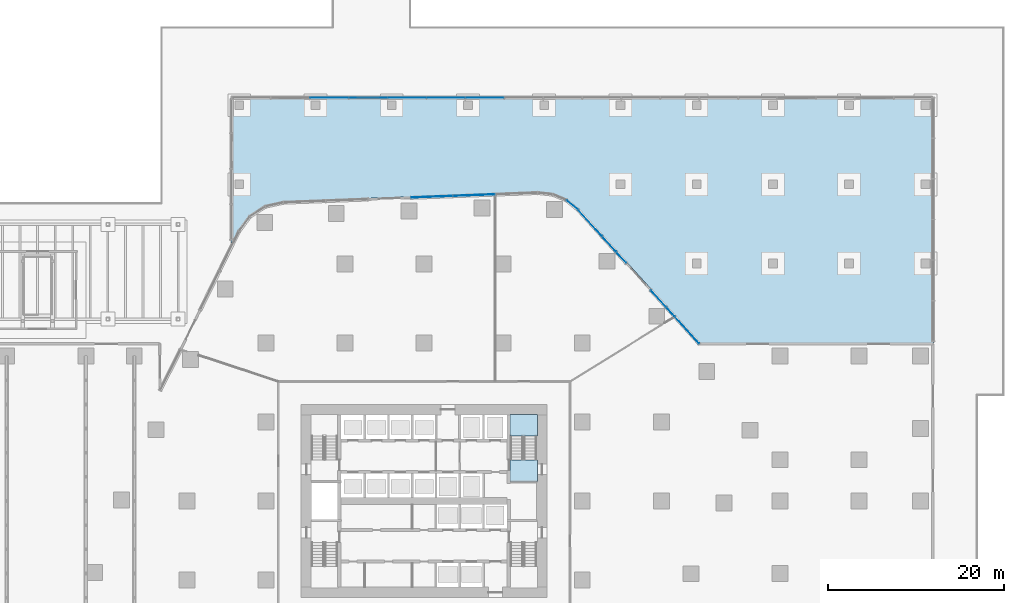
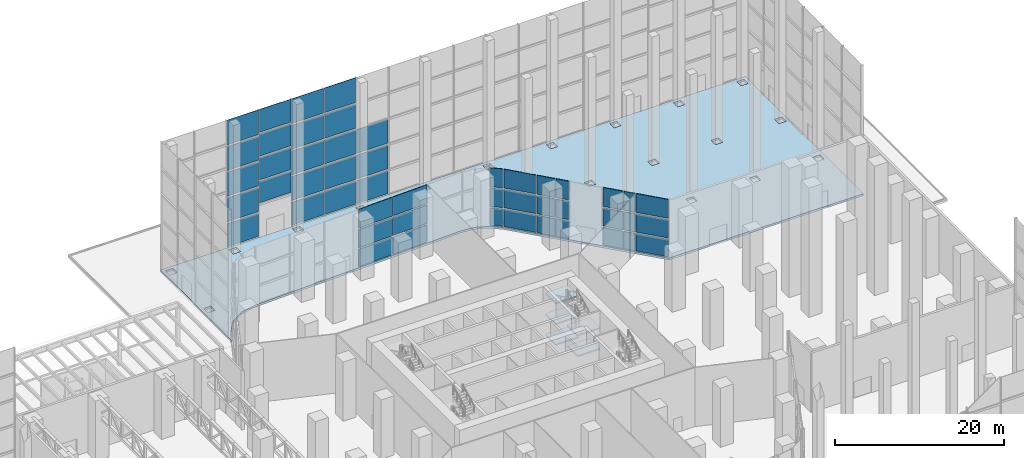
# One storey, part 25 of 40: 49 plates, 6 slabs, 10 elements without a shape of their own.
"""IFC4 building model written with IfcOpenShell, lengths in metres."""

from ifc_helpers import new_model, si_unit, direction, frame, origin, origin_2d, place, context, subcontext, project, spatial, polyline, rectangle, outline, extrude, material, layer, layer_set, type_object, element, aggregate, save


model = new_model("IFC4")

# Units and contexts
model_context = context("Model", 3, precision=1e-05, world=origin(), true_north=direction((0.0, 1.0)))
body_context = subcontext(model_context, "Body", "Model", "MODEL_VIEW")
ifc_project = project(units=[si_unit("LENGTHUNIT", "METRE"), si_unit("AREAUNIT", "SQUARE_METRE"), si_unit("VOLUMEUNIT", "CUBIC_METRE"), si_unit("PLANEANGLEUNIT", "RADIAN"), si_unit("MASSUNIT", "GRAM", prefix="KILO")], contexts=[model_context])

# Site, building, storey
site_placement = place(None, origin())
site = spatial("IfcSite", under=ifc_project, at=site_placement, CompositionType="ELEMENT")
building_placement = place(site_placement, origin())
building = spatial("IfcBuilding", under=site, at=building_placement, Name="Dongbaek Canopy Tower", CompositionType="ELEMENT")
storey_placement = place(building_placement, origin())
storey = spatial("IfcBuildingStorey", under=building, at=storey_placement, Name="L00", CompositionType="ELEMENT", Elevation=0.0)

# Curtain wall, plates
ifc_material_1 = material(Name="Aluminium 6063-T6 pale anodised", Category="aluminium")
ifc_layer_1 = layer(ifc_material_1, 0.39990234375)
ifc_layer_set_1 = layer_set([ifc_layer_1], Name="CW-3 lobby double-height curtain wall")
curtain_wall_type = type_object("IfcCurtainWallType", Name="CW-3 lobby double-height curtain wall", PredefinedType="NOTDEFINED", material=ifc_layer_set_1)
curtain_wall_1_placement = place(storey_placement, origin())
curtain_wall_1 = element("IfcCurtainWall", 1, at=curtain_wall_1_placement, inside=storey, type_object=curtain_wall_type, Name="CW-3 curtain wall F5.1a", PredefinedType="NOTDEFINED")
ifc_material_2 = material(Name="Clear laminated glass", Category="glass")
ifc_layer_2 = layer(ifc_material_2, 0.0439453125)
ifc_layer_set_2 = layer_set([ifc_layer_2], Name="CW-3 glazed panel 44")
plate_type = type_object("IfcPlateType", Name="CW-3 glazed panel 44", PredefinedType="CURTAIN_PANEL", material=ifc_layer_set_2)
plate_1_placement = place(storey_placement, frame((29.94482421875, 19.43896484375, 0.25), z_axis=(0.0, 0.0, 1.0), x_axis=(-0.671259707711, 0.741222237121, 0.0)))
plate_1 = element("IfcPlate", 2, at=plate_1_placement, type_object=plate_type, Name="CW-3 panel F5.1a.1.1", PredefinedType="CURTAIN_PANEL", context=body_context, shape_type="SweptSolid", body=[
    extrude(rectangle(XDim=4.0283203125, YDim=0.0439453125, at=origin_2d()), origin(), (0.0, 0.0, 1.0), 2.47509765625),
])
plate_2_placement = place(storey_placement, frame((29.94482421875, 19.43896484375, 2.974853515625), z_axis=(0.0, 0.0, 1.0), x_axis=(-0.671259707711, 0.741222237121, 0.0)))
plate_2 = element("IfcPlate", 3, at=plate_2_placement, type_object=plate_type, Name="CW-3 panel F5.1a.1.2", PredefinedType="CURTAIN_PANEL", context=body_context, shape_type="SweptSolid", body=[
    extrude(rectangle(XDim=4.0283203125, YDim=0.0439453125, at=origin_2d()), origin(), (0.0, 0.0, 1.0), 2.60009765625),
])
plate_3_placement = place(storey_placement, frame((29.94482421875, 19.43896484375, 5.824951171875), z_axis=(0.0, 0.0, 1.0), x_axis=(-0.671259707711, 0.741222237121, 0.0)))
plate_3 = element("IfcPlate", 4, at=plate_3_placement, type_object=plate_type, Name="CW-3 panel F5.1a.1.3", PredefinedType="CURTAIN_PANEL", context=body_context, shape_type="SweptSolid", body=[
    extrude(rectangle(XDim=4.0283203125, YDim=0.0439453125, at=origin_2d()), origin(), (0.0, 0.0, 1.0), 2.72509765625),
])
plate_4_placement = place(storey_placement, frame((28.0517578125, 21.529052734375, 0.25), z_axis=(0.0, 0.0, 1.0), x_axis=(-0.671259707711, 0.741222237121, 0.0)))
plate_4 = element("IfcPlate", 5, at=plate_4_placement, type_object=plate_type, Name="CW-3 panel F5.1a.2.1", PredefinedType="CURTAIN_PANEL", context=body_context, shape_type="SweptSolid", body=[
    extrude(rectangle(XDim=1.364013671875, YDim=0.0439453125, at=origin_2d()), origin(), (0.0, 0.0, 1.0), 2.47509765625),
])
plate_5_placement = place(storey_placement, frame((28.0517578125, 21.529052734375, 2.974853515625), z_axis=(0.0, 0.0, 1.0), x_axis=(-0.671259707711, 0.741222237121, 0.0)))
plate_5 = element("IfcPlate", 6, at=plate_5_placement, type_object=plate_type, Name="CW-3 panel F5.1a.2.2", PredefinedType="CURTAIN_PANEL", context=body_context, shape_type="SweptSolid", body=[
    extrude(rectangle(XDim=1.364013671875, YDim=0.0439453125, at=origin_2d()), origin(), (0.0, 0.0, 1.0), 2.60009765625),
])
plate_6_placement = place(storey_placement, frame((28.0517578125, 21.529052734375, 5.824951171875), z_axis=(0.0, 0.0, 1.0), x_axis=(-0.671259707711, 0.741222237121, 0.0)))
plate_6 = element("IfcPlate", 7, at=plate_6_placement, type_object=plate_type, Name="CW-3 panel F5.1a.2.3", PredefinedType="CURTAIN_PANEL", context=body_context, shape_type="SweptSolid", body=[
    extrude(rectangle(XDim=1.364013671875, YDim=0.0439453125, at=origin_2d()), origin(), (0.0, 0.0, 1.0), 2.72509765625),
])
aggregate(curtain_wall_1, [plate_1, plate_2, plate_3, plate_4, plate_5, plate_6])

curtain_wall_2_placement = place(storey_placement, origin())
curtain_wall_2 = element("IfcCurtainWall", 8, at=curtain_wall_2_placement, inside=storey, type_object=curtain_wall_type, Name="CW-3 curtain wall F5.1b", PredefinedType="NOTDEFINED")
plate_7_placement = place(storey_placement, frame((26.671875, 23.052978515625, 0.25), z_axis=(0.0, 0.0, 1.0), x_axis=(-0.671259707711, 0.741222237121, 0.0)))
plate_7 = element("IfcPlate", 9, at=plate_7_placement, type_object=plate_type, Name="CW-3 panel F5.1b.1.1", PredefinedType="CURTAIN_PANEL", context=body_context, shape_type="SweptSolid", body=[
    extrude(rectangle(XDim=2.4921875, YDim=0.0439453125, at=origin_2d()), origin(), (0.0, 0.0, 1.0), 2.47509765625),
])
plate_8_placement = place(storey_placement, frame((26.671875, 23.052978515625, 2.974853515625), z_axis=(0.0, 0.0, 1.0), x_axis=(-0.671259707711, 0.741222237121, 0.0)))
plate_8 = element("IfcPlate", 10, at=plate_8_placement, type_object=plate_type, Name="CW-3 panel F5.1b.1.2", PredefinedType="CURTAIN_PANEL", context=body_context, shape_type="SweptSolid", body=[
    extrude(rectangle(XDim=2.4921875, YDim=0.0439453125, at=origin_2d()), origin(), (0.0, 0.0, 1.0), 2.60009765625),
])
plate_9_placement = place(storey_placement, frame((26.671875, 23.052978515625, 5.824951171875), z_axis=(0.0, 0.0, 1.0), x_axis=(-0.671259707711, 0.741222237121, 0.0)))
plate_9 = element("IfcPlate", 11, at=plate_9_placement, type_object=plate_type, Name="CW-3 panel F5.1b.1.3", PredefinedType="CURTAIN_PANEL", context=body_context, shape_type="SweptSolid", body=[
    extrude(rectangle(XDim=2.4921875, YDim=0.0439453125, at=origin_2d()), origin(), (0.0, 0.0, 1.0), 2.72509765625),
])
aggregate(curtain_wall_2, [plate_7, plate_8, plate_9])

curtain_wall_3_placement = place(storey_placement, origin())
curtain_wall_3 = element("IfcCurtainWall", 12, at=curtain_wall_3_placement, inside=storey, type_object=curtain_wall_type, Name="CW-3 curtain wall F5.2a", PredefinedType="NOTDEFINED")
plate_10_placement = place(storey_placement, frame((22.455810546875, 27.70849609375, 0.25), z_axis=(0.0, 0.0, 1.0), x_axis=(-0.671259707711, 0.741222237121, 0.0)))
plate_10 = element("IfcPlate", 13, at=plate_10_placement, type_object=plate_type, Name="CW-3 panel F5.2a.1.1", PredefinedType="CURTAIN_PANEL", context=body_context, shape_type="SweptSolid", body=[
    extrude(rectangle(XDim=1.60546875, YDim=0.0439453125, at=origin_2d()), origin(), (0.0, 0.0, 1.0), 2.47509765625),
])
plate_11_placement = place(storey_placement, frame((22.455810546875, 27.70849609375, 2.974853515625), z_axis=(0.0, 0.0, 1.0), x_axis=(-0.671259707711, 0.741222237121, 0.0)))
plate_11 = element("IfcPlate", 14, at=plate_11_placement, type_object=plate_type, Name="CW-3 panel F5.2a.1.2", PredefinedType="CURTAIN_PANEL", context=body_context, shape_type="SweptSolid", body=[
    extrude(rectangle(XDim=1.60546875, YDim=0.0439453125, at=origin_2d()), origin(), (0.0, 0.0, 1.0), 2.60009765625),
])
plate_12_placement = place(storey_placement, frame((22.455810546875, 27.70849609375, 5.824951171875), z_axis=(0.0, 0.0, 1.0), x_axis=(-0.671259707711, 0.741222237121, 0.0)))
plate_12 = element("IfcPlate", 15, at=plate_12_placement, type_object=plate_type, Name="CW-3 panel F5.2a.1.3", PredefinedType="CURTAIN_PANEL", context=body_context, shape_type="SweptSolid", body=[
    extrude(rectangle(XDim=1.60546875, YDim=0.0439453125, at=origin_2d()), origin(), (0.0, 0.0, 1.0), 2.72509765625),
])
aggregate(curtain_wall_3, [plate_10, plate_11, plate_12])

curtain_wall_4_placement = place(storey_placement, origin())
curtain_wall_4 = element("IfcCurtainWall", 16, at=curtain_wall_4_placement, inside=storey, type_object=curtain_wall_type, Name="CW-3 curtain wall F5.2b", PredefinedType="NOTDEFINED")
plate_13_placement = place(storey_placement, frame((21.076171875, 29.23193359375, 0.25), z_axis=(0.0, 0.0, 1.0), x_axis=(-0.671259707711, 0.741222237121, 0.0)))
plate_13 = element("IfcPlate", 17, at=plate_13_placement, type_object=plate_type, Name="CW-3 panel F5.2b.1.1", PredefinedType="CURTAIN_PANEL", context=body_context, shape_type="SweptSolid", body=[
    extrude(rectangle(XDim=2.251708984375, YDim=0.0439453125, at=origin_2d()), origin(), (0.0, 0.0, 1.0), 2.47509765625),
])
plate_14_placement = place(storey_placement, frame((21.076171875, 29.23193359375, 2.974853515625), z_axis=(0.0, 0.0, 1.0), x_axis=(-0.671259707711, 0.741222237121, 0.0)))
plate_14 = element("IfcPlate", 18, at=plate_14_placement, type_object=plate_type, Name="CW-3 panel F5.2b.1.2", PredefinedType="CURTAIN_PANEL", context=body_context, shape_type="SweptSolid", body=[
    extrude(rectangle(XDim=2.251708984375, YDim=0.0439453125, at=origin_2d()), origin(), (0.0, 0.0, 1.0), 2.60009765625),
])
plate_15_placement = place(storey_placement, frame((21.076171875, 29.23193359375, 5.824951171875), z_axis=(0.0, 0.0, 1.0), x_axis=(-0.671259707711, 0.741222237121, 0.0)))
plate_15 = element("IfcPlate", 19, at=plate_15_placement, type_object=plate_type, Name="CW-3 panel F5.2b.1.3", PredefinedType="CURTAIN_PANEL", context=body_context, shape_type="SweptSolid", body=[
    extrude(rectangle(XDim=2.251708984375, YDim=0.0439453125, at=origin_2d()), origin(), (0.0, 0.0, 1.0), 2.72509765625),
])
plate_16_placement = place(storey_placement, frame((18.902587890625, 31.632080078125, 0.25), z_axis=(0.0, 0.0, 1.0), x_axis=(-0.671259707711, 0.741222237121, 0.0)))
plate_16 = element("IfcPlate", 20, at=plate_16_placement, type_object=plate_type, Name="CW-3 panel F5.2b.2.1", PredefinedType="CURTAIN_PANEL", context=body_context, shape_type="SweptSolid", body=[
    extrude(rectangle(XDim=3.9765625, YDim=0.0439453125, at=origin_2d()), origin(), (0.0, 0.0, 1.0), 2.47509765625),
])
plate_17_placement = place(storey_placement, frame((18.902587890625, 31.632080078125, 2.974853515625), z_axis=(0.0, 0.0, 1.0), x_axis=(-0.671259707711, 0.741222237121, 0.0)))
plate_17 = element("IfcPlate", 21, at=plate_17_placement, type_object=plate_type, Name="CW-3 panel F5.2b.2.2", PredefinedType="CURTAIN_PANEL", context=body_context, shape_type="SweptSolid", body=[
    extrude(rectangle(XDim=3.9765625, YDim=0.0439453125, at=origin_2d()), origin(), (0.0, 0.0, 1.0), 2.60009765625),
])
plate_18_placement = place(storey_placement, frame((18.902587890625, 31.632080078125, 5.824951171875), z_axis=(0.0, 0.0, 1.0), x_axis=(-0.671259707711, 0.741222237121, 0.0)))
plate_18 = element("IfcPlate", 22, at=plate_18_placement, type_object=plate_type, Name="CW-3 panel F5.2b.2.3", PredefinedType="CURTAIN_PANEL", context=body_context, shape_type="SweptSolid", body=[
    extrude(rectangle(XDim=3.9765625, YDim=0.0439453125, at=origin_2d()), origin(), (0.0, 0.0, 1.0), 2.72509765625),
])
aggregate(curtain_wall_4, [plate_13, plate_14, plate_15, plate_16, plate_17, plate_18])

curtain_wall_5_placement = place(storey_placement, origin())
curtain_wall_5 = element("IfcCurtainWall", 23, at=curtain_wall_5_placement, inside=storey, type_object=curtain_wall_type, Name="CW-3 curtain wall K1.1", PredefinedType="NOTDEFINED")
plate_19_placement = place(storey_placement, frame((16.86328125, 33.6982421875, 0.25), z_axis=(0.0, 0.0, 1.0), x_axis=(-0.771648517797, 0.636049184405, 0.0)))
plate_19 = element("IfcPlate", 24, at=plate_19_placement, type_object=plate_type, Name="CW-3 panel K1.1.1.1", PredefinedType="CURTAIN_PANEL", context=body_context, shape_type="SweptSolid", body=[
    extrude(rectangle(XDim=1.59423828125, YDim=0.0439453125, at=origin_2d()), origin(), (0.0, 0.0, 1.0), 2.47509765625),
])
plate_20_placement = place(storey_placement, frame((16.86328125, 33.6982421875, 2.974853515625), z_axis=(0.0, 0.0, 1.0), x_axis=(-0.771648517797, 0.636049184405, 0.0)))
plate_20 = element("IfcPlate", 25, at=plate_20_placement, type_object=plate_type, Name="CW-3 panel K1.1.1.2", PredefinedType="CURTAIN_PANEL", context=body_context, shape_type="SweptSolid", body=[
    extrude(rectangle(XDim=1.59423828125, YDim=0.0439453125, at=origin_2d()), origin(), (0.0, 0.0, 1.0), 2.60009765625),
])
plate_21_placement = place(storey_placement, frame((16.86328125, 33.6982421875, 5.824951171875), z_axis=(0.0, 0.0, 1.0), x_axis=(-0.771648517797, 0.636049184405, 0.0)))
plate_21 = element("IfcPlate", 26, at=plate_21_placement, type_object=plate_type, Name="CW-3 panel K1.1.1.3", PredefinedType="CURTAIN_PANEL", context=body_context, shape_type="SweptSolid", body=[
    extrude(rectangle(XDim=1.59423828125, YDim=0.0439453125, at=origin_2d()), origin(), (0.0, 0.0, 1.0), 2.72509765625),
])
aggregate(curtain_wall_5, [plate_19, plate_20, plate_21])

curtain_wall_6_placement = place(storey_placement, origin())
curtain_wall_6 = element("IfcCurtainWall", 27, at=curtain_wall_6_placement, inside=storey, type_object=curtain_wall_type, Name="CW-3 curtain wall F6.1", PredefinedType="NOTDEFINED")
plate_22_placement = place(storey_placement, frame((5.686767578125, 34.815673828125, 0.25), z_axis=(0.0, 0.0, 1.0), x_axis=(-0.999268890746, -0.038231975991, 0.0)))
plate_22 = element("IfcPlate", 28, at=plate_22_placement, type_object=plate_type, Name="CW-3 panel F6.1.2.1", PredefinedType="CURTAIN_PANEL", context=body_context, shape_type="SweptSolid", body=[
    extrude(rectangle(XDim=4.703369140625, YDim=0.0439453125, at=origin_2d()), origin(), (0.0, 0.0, 1.0), 2.47509765625),
])
plate_23_placement = place(storey_placement, frame((5.686767578125, 34.815673828125, 2.974853515625), z_axis=(0.0, 0.0, 1.0), x_axis=(-0.999268890746, -0.038231975991, 0.0)))
plate_23 = element("IfcPlate", 29, at=plate_23_placement, type_object=plate_type, Name="CW-3 panel F6.1.2.2", PredefinedType="CURTAIN_PANEL", context=body_context, shape_type="SweptSolid", body=[
    extrude(rectangle(XDim=4.703369140625, YDim=0.0439453125, at=origin_2d()), origin(), (0.0, 0.0, 1.0), 2.60009765625),
])
plate_24_placement = place(storey_placement, frame((5.686767578125, 34.815673828125, 5.824951171875), z_axis=(0.0, 0.0, 1.0), x_axis=(-0.999268890746, -0.038231975991, 0.0)))
plate_24 = element("IfcPlate", 30, at=plate_24_placement, type_object=plate_type, Name="CW-3 panel F6.1.2.3", PredefinedType="CURTAIN_PANEL", context=body_context, shape_type="SweptSolid", body=[
    extrude(rectangle(XDim=4.703369140625, YDim=0.0439453125, at=origin_2d()), origin(), (0.0, 0.0, 1.0), 2.72509765625),
])
plate_25_placement = place(storey_placement, frame((0.86279296875, 34.631103515625, 0.25), z_axis=(0.0, 0.0, 1.0), x_axis=(-0.999268890746, -0.038231975991, 0.0)))
plate_25 = element("IfcPlate", 31, at=plate_25_placement, type_object=plate_type, Name="CW-3 panel F6.1.3.1", PredefinedType="CURTAIN_PANEL", context=body_context, shape_type="SweptSolid", body=[
    extrude(rectangle(XDim=4.703369140625, YDim=0.0439453125, at=origin_2d()), origin(), (0.0, 0.0, 1.0), 2.47509765625),
])
plate_26_placement = place(storey_placement, frame((0.86279296875, 34.631103515625, 2.974853515625), z_axis=(0.0, 0.0, 1.0), x_axis=(-0.999268890746, -0.038231975991, 0.0)))
plate_26 = element("IfcPlate", 32, at=plate_26_placement, type_object=plate_type, Name="CW-3 panel F6.1.3.2", PredefinedType="CURTAIN_PANEL", context=body_context, shape_type="SweptSolid", body=[
    extrude(rectangle(XDim=4.703369140625, YDim=0.0439453125, at=origin_2d()), origin(), (0.0, 0.0, 1.0), 2.60009765625),
])
plate_27_placement = place(storey_placement, frame((0.86279296875, 34.631103515625, 5.824951171875), z_axis=(0.0, 0.0, 1.0), x_axis=(-0.999268890746, -0.038231975991, 0.0)))
plate_27 = element("IfcPlate", 33, at=plate_27_placement, type_object=plate_type, Name="CW-3 panel F6.1.3.3", PredefinedType="CURTAIN_PANEL", context=body_context, shape_type="SweptSolid", body=[
    extrude(rectangle(XDim=4.703369140625, YDim=0.0439453125, at=origin_2d()), origin(), (0.0, 0.0, 1.0), 2.72509765625),
])
aggregate(curtain_wall_6, [plate_22, plate_23, plate_24, plate_25, plate_26, plate_27])

curtain_wall_7_placement = place(storey_placement, origin())
curtain_wall_7 = element("IfcCurtainWall", 34, at=curtain_wall_7_placement, inside=storey, type_object=curtain_wall_type, Name="CW-3 curtain wall HNN.3", PredefinedType="NOTDEFINED")
plate_28_placement = place(storey_placement, frame((6.916748046875, 45.89990234375, 0.25), z_axis=(0.0, 0.0, 1.0), x_axis=(-1.0, 0.0, 0.0)))
plate_28 = element("IfcPlate", 35, at=plate_28_placement, type_object=plate_type, Name="CW-3 panel HNN.3.8.1", PredefinedType="CURTAIN_PANEL", context=body_context, shape_type="SweptSolid", body=[
    extrude(rectangle(XDim=4.309326171875, YDim=0.0439453125, at=origin_2d()), origin(), (0.0, 0.0, 1.0), 3.3349609375),
])
plate_29_placement = place(storey_placement, frame((6.916748046875, 45.89990234375, 3.8349609375), z_axis=(0.0, 0.0, 1.0), x_axis=(-1.0, 0.0, 0.0)))
plate_29 = element("IfcPlate", 36, at=plate_29_placement, type_object=plate_type, Name="CW-3 panel HNN.3.8.2", PredefinedType="CURTAIN_PANEL", context=body_context, shape_type="SweptSolid", body=[
    extrude(rectangle(XDim=4.309326171875, YDim=0.0439453125, at=origin_2d()), origin(), (0.0, 0.0, 1.0), 3.4599609375),
])
plate_30_placement = place(storey_placement, frame((6.916748046875, 45.89990234375, 7.544921875), z_axis=(0.0, 0.0, 1.0), x_axis=(-1.0, 0.0, 0.0)))
plate_30 = element("IfcPlate", 37, at=plate_30_placement, type_object=plate_type, Name="CW-3 panel HNN.3.8.3", PredefinedType="CURTAIN_PANEL", context=body_context, shape_type="SweptSolid", body=[
    extrude(rectangle(XDim=4.309326171875, YDim=0.0439453125, at=origin_2d()), origin(), (0.0, 0.0, 1.0), 3.4599609375),
])
plate_31_placement = place(storey_placement, frame((2.4833984375, 45.89990234375, 0.25), z_axis=(0.0, 0.0, 1.0), x_axis=(-1.0, 0.0, 0.0)))
plate_31 = element("IfcPlate", 38, at=plate_31_placement, type_object=plate_type, Name="CW-3 panel HNN.3.9.1", PredefinedType="CURTAIN_PANEL", context=body_context, shape_type="SweptSolid", body=[
    extrude(rectangle(XDim=4.309326171875, YDim=0.0439453125, at=origin_2d()), origin(), (0.0, 0.0, 1.0), 3.3349609375),
])
plate_32_placement = place(storey_placement, frame((2.4833984375, 45.89990234375, 3.8349609375), z_axis=(0.0, 0.0, 1.0), x_axis=(-1.0, 0.0, 0.0)))
plate_32 = element("IfcPlate", 39, at=plate_32_placement, type_object=plate_type, Name="CW-3 panel HNN.3.9.2", PredefinedType="CURTAIN_PANEL", context=body_context, shape_type="SweptSolid", body=[
    extrude(rectangle(XDim=4.309326171875, YDim=0.0439453125, at=origin_2d()), origin(), (0.0, 0.0, 1.0), 3.4599609375),
])
plate_33_placement = place(storey_placement, frame((2.4833984375, 45.89990234375, 7.544921875), z_axis=(0.0, 0.0, 1.0), x_axis=(-1.0, 0.0, 0.0)))
plate_33 = element("IfcPlate", 40, at=plate_33_placement, type_object=plate_type, Name="CW-3 panel HNN.3.9.3", PredefinedType="CURTAIN_PANEL", context=body_context, shape_type="SweptSolid", body=[
    extrude(rectangle(XDim=4.309326171875, YDim=0.0439453125, at=origin_2d()), origin(), (0.0, 0.0, 1.0), 3.4599609375),
])
plate_34_placement = place(storey_placement, frame((2.4833984375, 45.89990234375, 11.255126953125), z_axis=(0.0, 0.0, 1.0), x_axis=(-1.0, 0.0, 0.0)))
plate_34 = element("IfcPlate", 41, at=plate_34_placement, type_object=plate_type, Name="CW-3 panel HNN.3.9.4", PredefinedType="CURTAIN_PANEL", context=body_context, shape_type="SweptSolid", body=[
    extrude(rectangle(XDim=4.309326171875, YDim=0.0439453125, at=origin_2d()), origin(), (0.0, 0.0, 1.0), 3.4599609375),
])
plate_35_placement = place(storey_placement, frame((2.4833984375, 45.89990234375, 14.965087890625), z_axis=(0.0, 0.0, 1.0), x_axis=(-1.0, 0.0, 0.0)))
plate_35 = element("IfcPlate", 42, at=plate_35_placement, type_object=plate_type, Name="CW-3 panel HNN.3.9.5", PredefinedType="CURTAIN_PANEL", context=body_context, shape_type="SweptSolid", body=[
    extrude(rectangle(XDim=4.309326171875, YDim=0.0439453125, at=origin_2d()), origin(), (0.0, 0.0, 1.0), 3.5849609375),
])
plate_36_placement = place(storey_placement, frame((-1.949951171875, 45.89990234375, 0.25), z_axis=(0.0, 0.0, 1.0), x_axis=(-1.0, 0.0, 0.0)))
plate_36 = element("IfcPlate", 43, at=plate_36_placement, type_object=plate_type, Name="CW-3 panel HNN.3.10.1", PredefinedType="CURTAIN_PANEL", context=body_context, shape_type="SweptSolid", body=[
    extrude(rectangle(XDim=4.309326171875, YDim=0.0439453125, at=origin_2d()), origin(), (0.0, 0.0, 1.0), 3.3349609375),
])
plate_37_placement = place(storey_placement, frame((-1.949951171875, 45.89990234375, 3.8349609375), z_axis=(0.0, 0.0, 1.0), x_axis=(-1.0, 0.0, 0.0)))
plate_37 = element("IfcPlate", 44, at=plate_37_placement, type_object=plate_type, Name="CW-3 panel HNN.3.10.2", PredefinedType="CURTAIN_PANEL", context=body_context, shape_type="SweptSolid", body=[
    extrude(rectangle(XDim=4.309326171875, YDim=0.0439453125, at=origin_2d()), origin(), (0.0, 0.0, 1.0), 3.4599609375),
])
plate_38_placement = place(storey_placement, frame((-1.949951171875, 45.89990234375, 7.544921875), z_axis=(0.0, 0.0, 1.0), x_axis=(-1.0, 0.0, 0.0)))
plate_38 = element("IfcPlate", 45, at=plate_38_placement, type_object=plate_type, Name="CW-3 panel HNN.3.10.3", PredefinedType="CURTAIN_PANEL", context=body_context, shape_type="SweptSolid", body=[
    extrude(rectangle(XDim=4.309326171875, YDim=0.0439453125, at=origin_2d()), origin(), (0.0, 0.0, 1.0), 3.4599609375),
])
plate_39_placement = place(storey_placement, frame((-1.949951171875, 45.89990234375, 11.255126953125), z_axis=(0.0, 0.0, 1.0), x_axis=(-1.0, 0.0, 0.0)))
plate_39 = element("IfcPlate", 46, at=plate_39_placement, type_object=plate_type, Name="CW-3 panel HNN.3.10.4", PredefinedType="CURTAIN_PANEL", context=body_context, shape_type="SweptSolid", body=[
    extrude(rectangle(XDim=4.309326171875, YDim=0.0439453125, at=origin_2d()), origin(), (0.0, 0.0, 1.0), 3.4599609375),
])
plate_40_placement = place(storey_placement, frame((-1.949951171875, 45.89990234375, 14.965087890625), z_axis=(0.0, 0.0, 1.0), x_axis=(-1.0, 0.0, 0.0)))
plate_40 = element("IfcPlate", 47, at=plate_40_placement, type_object=plate_type, Name="CW-3 panel HNN.3.10.5", PredefinedType="CURTAIN_PANEL", context=body_context, shape_type="SweptSolid", body=[
    extrude(rectangle(XDim=4.309326171875, YDim=0.0439453125, at=origin_2d()), origin(), (0.0, 0.0, 1.0), 3.5849609375),
])
aggregate(curtain_wall_7, [plate_28, plate_29, plate_30, plate_31, plate_32, plate_33, plate_34, plate_35, plate_36, plate_37, plate_38, plate_39, plate_40])

curtain_wall_8_placement = place(storey_placement, origin())
curtain_wall_8 = element("IfcCurtainWall", 48, at=curtain_wall_8_placement, inside=storey, type_object=curtain_wall_type, Name="CW-3 curtain wall HNN.15U", PredefinedType="NOTDEFINED")
plate_41_placement = place(storey_placement, frame((-6.38330078125, 45.89990234375, 5.050048828125), z_axis=(0.0, 0.0, 1.0), x_axis=(-1.0, 0.0, 0.0)))
plate_41 = element("IfcPlate", 49, at=plate_41_placement, type_object=plate_type, Name="CW-3 panel HNN.15U.1.1", PredefinedType="CURTAIN_PANEL", context=body_context, shape_type="SweptSolid", body=[
    extrude(rectangle(XDim=4.309326171875, YDim=0.0439453125, at=origin_2d()), origin(), (0.0, 0.0, 1.0), 3.0625),
])
plate_42_placement = place(storey_placement, frame((-6.38330078125, 45.89990234375, 8.362548828125), z_axis=(0.0, 0.0, 1.0), x_axis=(-1.0, 0.0, 0.0)))
plate_42 = element("IfcPlate", 50, at=plate_42_placement, type_object=plate_type, Name="CW-3 panel HNN.15U.1.2", PredefinedType="CURTAIN_PANEL", context=body_context, shape_type="SweptSolid", body=[
    extrude(rectangle(XDim=4.309326171875, YDim=0.0439453125, at=origin_2d()), origin(), (0.0, 0.0, 1.0), 3.1875),
])
plate_43_placement = place(storey_placement, frame((-6.38330078125, 45.89990234375, 11.800048828125), z_axis=(0.0, 0.0, 1.0), x_axis=(-1.0, 0.0, 0.0)))
plate_43 = element("IfcPlate", 51, at=plate_43_placement, type_object=plate_type, Name="CW-3 panel HNN.15U.1.3", PredefinedType="CURTAIN_PANEL", context=body_context, shape_type="SweptSolid", body=[
    extrude(rectangle(XDim=4.309326171875, YDim=0.0439453125, at=origin_2d()), origin(), (0.0, 0.0, 1.0), 3.1875),
])
plate_44_placement = place(storey_placement, frame((-6.38330078125, 45.89990234375, 15.237548828125), z_axis=(0.0, 0.0, 1.0), x_axis=(-1.0, 0.0, 0.0)))
plate_44 = element("IfcPlate", 52, at=plate_44_placement, type_object=plate_type, Name="CW-3 panel HNN.15U.1.4", PredefinedType="CURTAIN_PANEL", context=body_context, shape_type="SweptSolid", body=[
    extrude(rectangle(XDim=4.309326171875, YDim=0.0439453125, at=origin_2d()), origin(), (0.0, 0.0, 1.0), 3.3125),
])
aggregate(curtain_wall_8, [plate_41, plate_42, plate_43, plate_44])

curtain_wall_9_placement = place(storey_placement, origin())
curtain_wall_9 = element("IfcCurtainWall", 53, at=curtain_wall_9_placement, inside=storey, type_object=curtain_wall_type, Name="CW-3 curtain wall HNN.4", PredefinedType="NOTDEFINED")
plate_45_placement = place(storey_placement, frame((-10.816650390625, 45.89990234375, 0.25), z_axis=(0.0, 0.0, 1.0), x_axis=(-1.0, 0.0, 0.0)))
plate_45 = element("IfcPlate", 54, at=plate_45_placement, type_object=plate_type, Name="CW-3 panel HNN.4.1.1", PredefinedType="CURTAIN_PANEL", context=body_context, shape_type="SweptSolid", body=[
    extrude(rectangle(XDim=4.309326171875, YDim=0.0439453125, at=origin_2d()), origin(), (0.0, 0.0, 1.0), 3.3349609375),
])
plate_46_placement = place(storey_placement, frame((-10.816650390625, 45.89990234375, 3.8349609375), z_axis=(0.0, 0.0, 1.0), x_axis=(-1.0, 0.0, 0.0)))
plate_46 = element("IfcPlate", 55, at=plate_46_placement, type_object=plate_type, Name="CW-3 panel HNN.4.1.2", PredefinedType="CURTAIN_PANEL", context=body_context, shape_type="SweptSolid", body=[
    extrude(rectangle(XDim=4.309326171875, YDim=0.0439453125, at=origin_2d()), origin(), (0.0, 0.0, 1.0), 3.4599609375),
])
plate_47_placement = place(storey_placement, frame((-10.816650390625, 45.89990234375, 7.544921875), z_axis=(0.0, 0.0, 1.0), x_axis=(-1.0, 0.0, 0.0)))
plate_47 = element("IfcPlate", 56, at=plate_47_placement, type_object=plate_type, Name="CW-3 panel HNN.4.1.3", PredefinedType="CURTAIN_PANEL", context=body_context, shape_type="SweptSolid", body=[
    extrude(rectangle(XDim=4.309326171875, YDim=0.0439453125, at=origin_2d()), origin(), (0.0, 0.0, 1.0), 3.4599609375),
])
plate_48_placement = place(storey_placement, frame((-10.816650390625, 45.89990234375, 11.255126953125), z_axis=(0.0, 0.0, 1.0), x_axis=(-1.0, 0.0, 0.0)))
plate_48 = element("IfcPlate", 57, at=plate_48_placement, type_object=plate_type, Name="CW-3 panel HNN.4.1.4", PredefinedType="CURTAIN_PANEL", context=body_context, shape_type="SweptSolid", body=[
    extrude(rectangle(XDim=4.309326171875, YDim=0.0439453125, at=origin_2d()), origin(), (0.0, 0.0, 1.0), 3.4599609375),
])
plate_49_placement = place(storey_placement, frame((-10.816650390625, 45.89990234375, 14.965087890625), z_axis=(0.0, 0.0, 1.0), x_axis=(-1.0, 0.0, 0.0)))
plate_49 = element("IfcPlate", 58, at=plate_49_placement, type_object=plate_type, Name="CW-3 panel HNN.4.1.5", PredefinedType="CURTAIN_PANEL", context=body_context, shape_type="SweptSolid", body=[
    extrude(rectangle(XDim=4.309326171875, YDim=0.0439453125, at=origin_2d()), origin(), (0.0, 0.0, 1.0), 3.5849609375),
])
aggregate(curtain_wall_9, [plate_45, plate_46, plate_47, plate_48, plate_49])

# Stair, slabs
ifc_material_3 = material(Name="Concrete C40/50", Category="concrete")
stair_type = type_object("IfcStairType", Name="Core exit stair", PredefinedType="HALF_TURN_STAIR", material=ifc_material_3)
stair_placement = place(storey_placement, origin())
stair = element("IfcStair", 59, at=stair_placement, inside=storey, type_object=stair_type, Name="L00 exit stair A", PredefinedType="HALF_TURN_STAIR")
ifc_material_4 = material(Name="Concrete C40/50", Category="concrete")
ifc_layer_3 = layer(ifc_material_4, 0.199951171875)
ifc_layer_set_3 = layer_set([ifc_layer_3], Name="Core stair landing 200")
slab_type_1 = type_object("IfcSlabType", Name="Core stair landing 200", PredefinedType="LANDING", material=ifc_layer_set_3)
slab_1_placement = place(storey_placement, frame((0.0, 0.0, 1.300048828125)))
slab_1 = element("IfcSlab", 60, at=slab_1_placement, type_object=slab_type_1, Name="ST-A landing 1", PredefinedType="LANDING", context=body_context, shape_type="SweptSolid", body=[
    extrude(outline(polyline([(12.875, 7.419921875), (12.875, 9.875), (9.77490234375, 9.875), (9.77490234375, 7.419921875), (12.875, 7.419921875)])), origin(), (0.0, 0.0, 1.0), 0.199951171875),
])
slab_2_placement = place(storey_placement, frame((0.0, 0.0, 2.800048828125)))
slab_2 = element("IfcSlab", 61, at=slab_2_placement, type_object=slab_type_1, Name="ST-A landing 2", PredefinedType="LANDING", context=body_context, shape_type="SweptSolid", body=[
    extrude(outline(polyline([(12.875, 2.22509765625), (12.875, 4.699951171875), (9.77490234375, 4.699951171875), (9.77490234375, 2.22509765625), (12.875, 2.22509765625)])), origin(), (0.0, 0.0, 1.0), 0.199951171875),
])
slab_3_placement = place(storey_placement, frame((0.0, 0.0, 4.300048828125)))
slab_3 = element("IfcSlab", 62, at=slab_3_placement, type_object=slab_type_1, Name="ST-A landing 3", PredefinedType="LANDING", context=body_context, shape_type="SweptSolid", body=[
    extrude(outline(polyline([(12.875, 7.419921875), (12.875, 9.875), (9.77490234375, 9.875), (9.77490234375, 7.419921875), (12.875, 7.419921875)])), origin(), (0.0, 0.0, 1.0), 0.199951171875),
])
slab_4_placement = place(storey_placement, frame((0.0, 0.0, 5.800048828125)))
slab_4 = element("IfcSlab", 63, at=slab_4_placement, type_object=slab_type_1, Name="ST-A landing 4", PredefinedType="LANDING", context=body_context, shape_type="SweptSolid", body=[
    extrude(outline(polyline([(12.875, 2.22509765625), (12.875, 4.699951171875), (9.77490234375, 4.699951171875), (9.77490234375, 2.22509765625), (12.875, 2.22509765625)])), origin(), (0.0, 0.0, 1.0), 0.199951171875),
])
slab_5_placement = place(storey_placement, frame((0.0, 0.0, 7.300048828125)))
slab_5 = element("IfcSlab", 64, at=slab_5_placement, type_object=slab_type_1, Name="ST-A landing 5", PredefinedType="LANDING", context=body_context, shape_type="SweptSolid", body=[
    extrude(outline(polyline([(12.875, 7.419921875), (12.875, 9.875), (9.77490234375, 9.875), (9.77490234375, 7.419921875), (12.875, 7.419921875)])), origin(), (0.0, 0.0, 1.0), 0.199951171875),
])
aggregate(stair, [slab_1, slab_2, slab_3, slab_4, slab_5])

# Slab
ifc_material_5 = material(Name="Granite paving on concrete slab", Category="masonry")
ifc_layer_4 = layer(ifc_material_5, 0.300048828125)
ifc_layer_set_4 = layer_set([ifc_layer_4], Name="Hall floor slab 300")
slab_type_2 = type_object("IfcSlabType", Name="Hall floor slab 300", PredefinedType="FLOOR", material=ifc_layer_set_4)
slab_6_placement = place(storey_placement, frame((0.0, 0.0, -0.300048828125)))
element("IfcSlab", 65, at=slab_6_placement, inside=storey, type_object=slab_type_2, Name="Hall floor slab N1", PredefinedType="FLOOR", context=body_context, shape_type="SweptSolid", body=[
    extrude(outline(polyline([(-22.0, 45.949951171875), (-21.9853515625, 45.9853515625), (-21.949951171875, 46.0), (57.964599609375, 45.997802734375), (58.0, 45.949951171875), (57.997802734375, 18.035400390625), (57.949951171875, 18.0), (31.386962890625, 18.00341796875), (17.5966796875, 33.222900390625), (16.252685546875, 34.3310546875), (14.647705078125, 35.006103515625), (12.9169921875, 35.1923828125), (-16.0244140625, 34.0849609375), (-18.113525390625, 33.623291015625), (-19.90771484375, 32.4580078125), (-21.17919921875, 30.7373046875), (-21.905029296875, 29.261474609375), (-21.9296875, 29.23779296875), (-21.968505859375, 29.237060546875), (-22.0, 29.283447265625), (-22.0, 45.949951171875)]), holes=[polyline([(-21.550048828125, 44.550048828125), (-20.550048828125, 44.550048828125), (-20.550048828125, 45.550048828125), (-21.550048828125, 45.550048828125), (-21.550048828125, 44.550048828125)]), polyline([(-12.8720703125, 45.550048828125), (-12.8720703125, 44.550048828125), (-11.8720703125, 44.550048828125), (-11.8720703125, 45.550048828125), (-12.8720703125, 45.550048828125)]), polyline([(-3.194091796875, 45.550048828125), (-4.194091796875, 45.550048828125), (-4.194091796875, 44.550048828125), (-3.194091796875, 44.550048828125), (-3.194091796875, 45.550048828125)]), polyline([(5.48291015625, 44.550048828125), (5.48291015625, 45.550048828125), (4.48291015625, 45.550048828125), (4.48291015625, 44.550048828125), (5.48291015625, 44.550048828125)]), polyline([(13.160888671875, 44.550048828125), (14.160888671875, 44.550048828125), (14.160888671875, 45.550048828125), (13.160888671875, 45.550048828125), (13.160888671875, 44.550048828125)]), polyline([(21.839111328125, 45.550048828125), (21.839111328125, 44.550048828125), (22.839111328125, 44.550048828125), (22.839111328125, 45.550048828125), (21.839111328125, 45.550048828125)]), polyline([(31.51708984375, 45.550048828125), (30.51708984375, 45.550048828125), (30.51708984375, 44.550048828125), (31.51708984375, 44.550048828125), (31.51708984375, 45.550048828125)]), polyline([(40.194091796875, 44.550048828125), (40.194091796875, 45.550048828125), (39.194091796875, 45.550048828125), (39.194091796875, 44.550048828125), (40.194091796875, 44.550048828125)]), polyline([(47.8720703125, 44.550048828125), (48.8720703125, 44.550048828125), (48.8720703125, 45.550048828125), (47.8720703125, 45.550048828125), (47.8720703125, 44.550048828125)]), polyline([(56.550048828125, 45.550048828125), (56.550048828125, 44.550048828125), (57.550048828125, 44.550048828125), (57.550048828125, 45.550048828125), (56.550048828125, 45.550048828125)]), polyline([(-20.550048828125, 36.550048828125), (-21.550048828125, 36.550048828125), (-21.550048828125, 35.550048828125), (-20.550048828125, 35.550048828125), (-20.550048828125, 36.550048828125)]), polyline([(22.839111328125, 35.550048828125), (22.839111328125, 36.550048828125), (21.839111328125, 36.550048828125), (21.839111328125, 35.550048828125), (22.839111328125, 35.550048828125)]), polyline([(30.51708984375, 35.550048828125), (31.51708984375, 35.550048828125), (31.51708984375, 36.550048828125), (30.51708984375, 36.550048828125), (30.51708984375, 35.550048828125)]), polyline([(39.194091796875, 36.550048828125), (39.194091796875, 35.550048828125), (40.194091796875, 35.550048828125), (40.194091796875, 36.550048828125), (39.194091796875, 36.550048828125)]), polyline([(48.8720703125, 36.550048828125), (47.8720703125, 36.550048828125), (47.8720703125, 35.550048828125), (48.8720703125, 35.550048828125), (48.8720703125, 36.550048828125)]), polyline([(57.550048828125, 35.550048828125), (57.550048828125, 36.550048828125), (56.550048828125, 36.550048828125), (56.550048828125, 35.550048828125), (57.550048828125, 35.550048828125)]), polyline([(30.51708984375, 26.550048828125), (31.51708984375, 26.550048828125), (31.51708984375, 27.550048828125), (30.51708984375, 27.550048828125), (30.51708984375, 26.550048828125)]), polyline([(39.194091796875, 27.550048828125), (39.194091796875, 26.550048828125), (40.194091796875, 26.550048828125), (40.194091796875, 27.550048828125), (39.194091796875, 27.550048828125)]), polyline([(48.8720703125, 27.550048828125), (47.8720703125, 27.550048828125), (47.8720703125, 26.550048828125), (48.8720703125, 26.550048828125), (48.8720703125, 27.550048828125)]), polyline([(57.550048828125, 26.550048828125), (57.550048828125, 27.550048828125), (56.550048828125, 27.550048828125), (56.550048828125, 26.550048828125), (57.550048828125, 26.550048828125)])]), origin(), (0.0, 0.0, 1.0), 0.300048828125),
])

save(model, "model.ifc")
